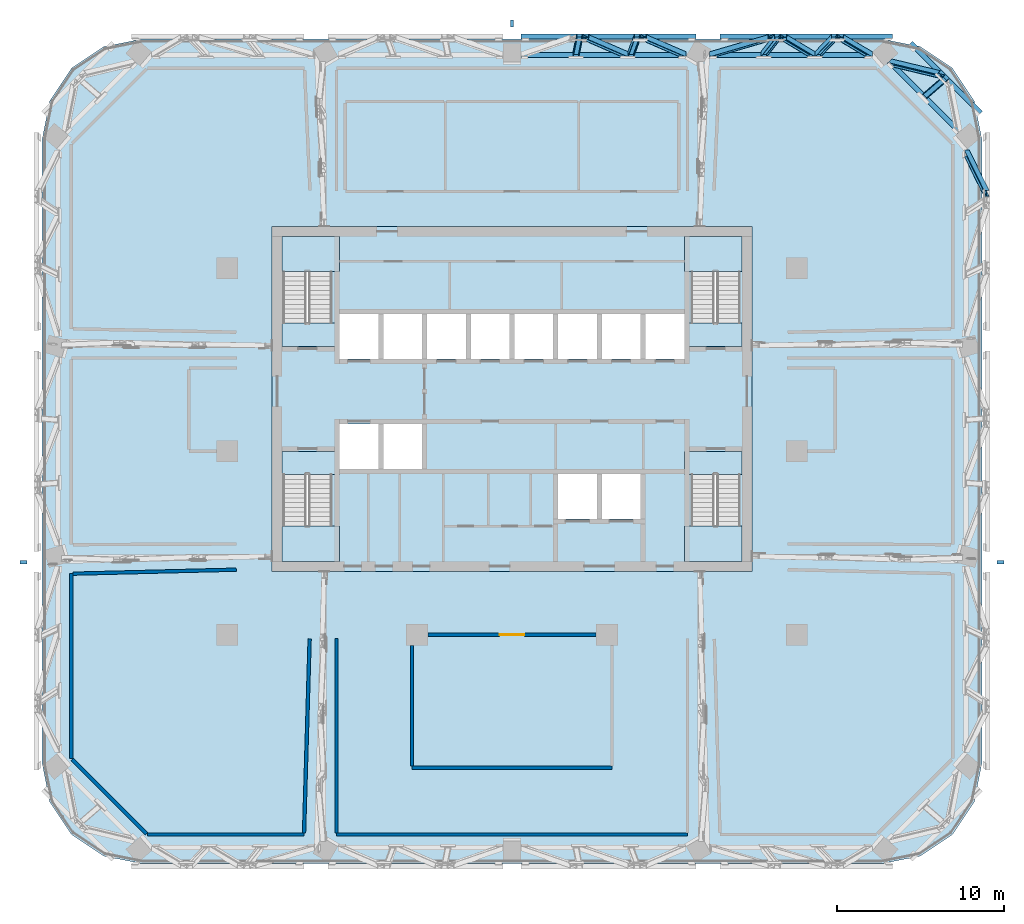
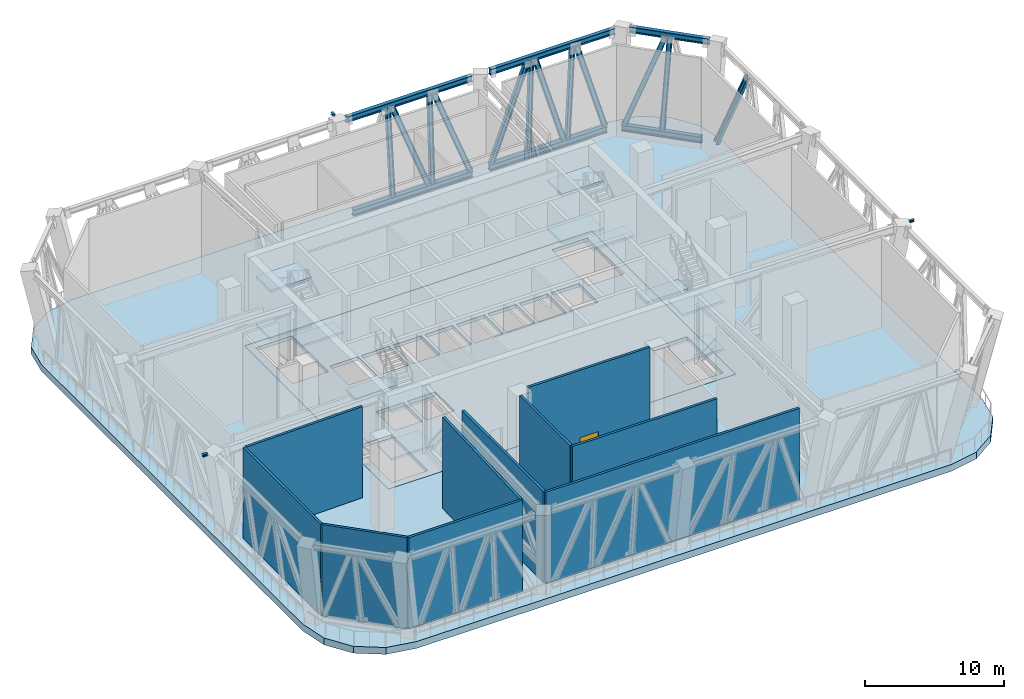
# One storey, part 5 of 24: 18 members, 14 slabs, 10 walls, 3 beams, 1 door, 1 opening, 4 elements without a shape of their own.
"""IFC4 building model written with IfcOpenShell, lengths in metres."""

from ifc_helpers import new_model, si_unit, direction, frame, frame_2d, origin, origin_2d, place, context, subcontext, project, spatial, polyline, rectangle, i_section, outline, extrude, material, layer, layer_set, material_profile, profile_set, type_object, element, fill, aggregate, save


model = new_model("IFC4")

# Units and contexts
model_context = context("Model", 3, precision=1e-05, world=origin(), true_north=direction((0.0, 1.0)))
body_context = subcontext(model_context, "Body", "Model", "MODEL_VIEW")
ifc_project = project(units=[si_unit("LENGTHUNIT", "METRE"), si_unit("AREAUNIT", "SQUARE_METRE"), si_unit("VOLUMEUNIT", "CUBIC_METRE"), si_unit("PLANEANGLEUNIT", "RADIAN"), si_unit("MASSUNIT", "GRAM", prefix="KILO")], contexts=[model_context])

# Site, building, storey
site_placement = place(None, origin())
site = spatial("IfcSite", under=ifc_project, at=site_placement, CompositionType="ELEMENT")
building_placement = place(site_placement, origin())
building = spatial("IfcBuilding", under=site, at=building_placement, Name="Mopane Tessera Tower", CompositionType="ELEMENT")
storey_placement = place(building_placement, frame((0.0, 0.0, 259.0)))
storey = spatial("IfcBuildingStorey", under=building, at=storey_placement, Name="L56", CompositionType="ELEMENT", Elevation=259.0)

# Members
ifc_material_1 = material(Name="Structural steel S460", Category="steel")
ifc_material_profile_1 = material_profile(ifc_material_1, i_section(OverallWidth=0.305908203125, OverallDepth=0.52392578125, WebThickness=0.02099609375, FlangeThickness=0.0400390625, FilletRadius=0.027099609375, at=origin_2d()))
ifc_profile_set_1 = profile_set([ifc_material_profile_1], Name="Structural steel S460")
member_type_1 = type_object("IfcMemberType", Name="Belt truss chord HE 500 M", PredefinedType="CHORD", material=ifc_profile_set_1)
member_1_placement = place(storey_placement, frame((26.84765625, 19.1865234375, 0.261962890625), z_axis=(-0.707106781187, 0.707106781187, 0.0), x_axis=(-0.707106781187, -0.707106781187, 0.0)))
element("IfcMember", 1, at=member_1_placement, inside=storey, type_object=member_type_1, Name="Belt truss bottom chord L56 E3-N0", PredefinedType="CHORD", context=body_context, shape_type="SweptSolid", body=[
    extrude(i_section(OverallWidth=0.305908203125, OverallDepth=0.52392578125, WebThickness=0.02099609375, FlangeThickness=0.0400390625, FilletRadius=0.027099609375, at=origin_2d()), origin(), (0.0, 0.0, 1.0), 5.946533203125),
])
member_2_placement = place(storey_placement, frame((28.137939453125, 20.299072265625, 7.738037109375), z_axis=(-0.707086252313, 0.707127309464, 0.0), x_axis=(-0.707127309464, -0.707086252313, 0.0)))
element("IfcMember", 2, at=member_2_placement, inside=storey, type_object=member_type_1, Name="Belt truss top chord L56 E3-N0", PredefinedType="CHORD", context=body_context, shape_type="SweptSolid", body=[
    extrude(i_section(OverallWidth=0.305908203125, OverallDepth=0.52392578125, WebThickness=0.02099609375, FlangeThickness=0.0400390625, FilletRadius=0.027099609375, at=origin_2d()), origin(), (0.0, 0.0, 1.0), 5.9462890625),
])
member_3_placement = place(storey_placement, frame((21.55419921875, 23.7890625, 0.261962890625), z_axis=(-1.0, 0.0, 0.0), x_axis=(0.0, -1.0, 0.0)))
element("IfcMember", 3, at=member_3_placement, inside=storey, type_object=member_type_1, Name="Belt truss bottom chord L56 N0-N1", PredefinedType="CHORD", context=body_context, shape_type="SweptSolid", body=[
    extrude(i_section(OverallWidth=0.305908203125, OverallDepth=0.52392578125, WebThickness=0.02099609375, FlangeThickness=0.0400390625, FilletRadius=0.027099609375, at=origin_2d()), origin(), (0.0, 0.0, 1.0), 9.70751953125),
])
member_4_placement = place(storey_placement, frame((22.844482421875, 24.9013671875, 7.738037109375), z_axis=(-1.0, 0.0, 0.0), x_axis=(0.0, -1.0, 0.0)))
element("IfcMember", 4, at=member_4_placement, inside=storey, type_object=member_type_1, Name="Belt truss top chord L56 N0-N1", PredefinedType="CHORD", context=body_context, shape_type="SweptSolid", body=[
    extrude(i_section(OverallWidth=0.305908203125, OverallDepth=0.52392578125, WebThickness=0.02099609375, FlangeThickness=0.0400390625, FilletRadius=0.027099609375, at=origin_2d()), origin(), (0.0, 0.0, 1.0), 10.352783203125),
])
member_5_placement = place(storey_placement, frame((10.398681640625, 23.7890625, 0.261962890625), z_axis=(-1.0, 0.0, 0.0), x_axis=(0.0, -1.0, 0.0)))
element("IfcMember", 5, at=member_5_placement, inside=storey, type_object=member_type_1, Name="Belt truss bottom chord L56 N1-N2", PredefinedType="CHORD", context=body_context, shape_type="SweptSolid", body=[
    extrude(i_section(OverallWidth=0.305908203125, OverallDepth=0.52392578125, WebThickness=0.02099609375, FlangeThickness=0.0400390625, FilletRadius=0.027099609375, at=origin_2d()), origin(), (0.0, 0.0, 1.0), 9.84912109375),
])
member_6_placement = place(storey_placement, frame((11.0439453125, 24.9013671875, 7.738037109375), z_axis=(-1.0, 0.0, 0.0), x_axis=(0.0, -1.0, 0.0)))
element("IfcMember", 6, at=member_6_placement, inside=storey, type_object=member_type_1, Name="Belt truss top chord L56 N1-N2", PredefinedType="CHORD", context=body_context, shape_type="SweptSolid", body=[
    extrude(i_section(OverallWidth=0.305908203125, OverallDepth=0.52392578125, WebThickness=0.02099609375, FlangeThickness=0.0400390625, FilletRadius=0.027099609375, at=origin_2d()), origin(), (0.0, 0.0, 1.0), 10.494384765625),
])
ifc_material_2 = material(Name="Structural steel S460", Category="steel")
ifc_material_profile_2 = material_profile(ifc_material_2, i_section(OverallWidth=0.300048828125, OverallDepth=0.39990234375, WebThickness=0.013427734375, FlangeThickness=0.02392578125, FilletRadius=0.027099609375, at=origin_2d()))
ifc_profile_set_2 = profile_set([ifc_material_profile_2], Name="Structural steel S460")
member_type_2 = type_object("IfcMemberType", Name="Belt truss diagonal HE 400 B", PredefinedType="BRACE", material=ifc_profile_set_2)
member_7_placement = place(storey_placement, frame((28.482177734375, 15.476318359375, 7.427978515625), z_axis=(-0.160713742004, 0.327924986779, -0.930933024539), x_axis=(-0.987001059242, -0.053440823985, 0.151568424768)))
element("IfcMember", 7, at=member_7_placement, inside=storey, type_object=member_type_2, Name="Belt truss diagonal 2 L56 E2-E3", PredefinedType="BRACE", context=body_context, shape_type="SweptSolid", body=[
    extrude(i_section(OverallWidth=0.300048828125, OverallDepth=0.39990234375, WebThickness=0.013427734375, FlangeThickness=0.02392578125, FilletRadius=0.027099609375, at=origin_2d()), origin(), (0.0, 0.0, 1.0), 7.364501953125),
])
member_8_placement = place(storey_placement, frame((25.734375, 22.609375, 7.447509765625), z_axis=(-0.387981452235, 0.093277883872, -0.916934909959), x_axis=(-0.640323134675, -0.742843451968, 0.195371157208)))
element("IfcMember", 8, at=member_8_placement, inside=storey, type_object=member_type_2, Name="Belt truss diagonal 1 L56 E3-N0", PredefinedType="BRACE", context=body_context, shape_type="SweptSolid", body=[
    extrude(i_section(OverallWidth=0.300048828125, OverallDepth=0.39990234375, WebThickness=0.013427734375, FlangeThickness=0.02392578125, FilletRadius=0.027099609375, at=origin_2d()), origin(), (0.0, 0.0, 1.0), 7.51953125),
])
member_9_placement = place(storey_placement, frame((21.43212890625, 23.833251953125, 0.5595703125), z_axis=(-0.240368104907, 0.142871858274, 0.960109788648), x_axis=(-0.034683429233, -0.989741194403, 0.138598080211)))
element("IfcMember", 9, at=member_9_placement, inside=storey, type_object=member_type_2, Name="Belt truss diagonal 0 L56 N0-N1", PredefinedType="BRACE", context=body_context, shape_type="SweptSolid", body=[
    extrude(i_section(OverallWidth=0.300048828125, OverallDepth=0.39990234375, WebThickness=0.013427734375, FlangeThickness=0.02392578125, FilletRadius=0.027099609375, at=origin_2d()), origin(), (0.0, 0.0, 1.0), 7.166748046875),
])
member_10_placement = place(storey_placement, frame((18.005126953125, 23.83251953125, 0.554931640625), z_axis=(-0.238169708619, 0.14296309507, 0.960643921203), x_axis=(-0.034446532368, -0.989728018935, 0.13875116195)))
element("IfcMember", 10, at=member_10_placement, inside=storey, type_object=member_type_2, Name="Belt truss diagonal 1 L56 N0-N1", PredefinedType="BRACE", context=body_context, shape_type="SweptSolid", body=[
    extrude(i_section(OverallWidth=0.300048828125, OverallDepth=0.39990234375, WebThickness=0.013427734375, FlangeThickness=0.02392578125, FilletRadius=0.027099609375, at=origin_2d()), origin(), (0.0, 0.0, 1.0), 7.17236328125),
])
member_11_placement = place(storey_placement, frame((15.551513671875, 24.857177734375, 7.4404296875), z_axis=(-0.450040201118, -0.131439317792, -0.883282244312), x_axis=(0.059668651394, -0.991324218272, 0.117115098546)))
element("IfcMember", 11, at=member_11_placement, inside=storey, type_object=member_type_2, Name="Belt truss diagonal 2 L56 N0-N1", PredefinedType="BRACE", context=body_context, shape_type="SweptSolid", body=[
    extrude(i_section(OverallWidth=0.300048828125, OverallDepth=0.39990234375, WebThickness=0.013427734375, FlangeThickness=0.02392578125, FilletRadius=0.027099609375, at=origin_2d()), origin(), (0.0, 0.0, 1.0), 7.7900390625),
])
member_12_placement = place(storey_placement, frame((10.251708984375, 23.83349609375, 0.560791015625), z_axis=(-0.322539725509, 0.139304196305, 0.936249147589), x_axis=(-0.045353355245, -0.990249635418, 0.131714588119)))
element("IfcMember", 12, at=member_12_placement, inside=storey, type_object=member_type_2, Name="Belt truss diagonal 0 L56 N1-N2", PredefinedType="BRACE", context=body_context, shape_type="SweptSolid", body=[
    extrude(i_section(OverallWidth=0.300048828125, OverallDepth=0.39990234375, WebThickness=0.013427734375, FlangeThickness=0.02392578125, FilletRadius=0.027099609375, at=origin_2d()), origin(), (0.0, 0.0, 1.0), 7.3466796875),
])
member_13_placement = place(storey_placement, frame((6.77783203125, 23.832763671875, 0.55615234375), z_axis=(-0.320810334951, 0.139401903129, 0.936828606733), x_axis=(-0.045148045312, -0.990235885622, 0.131888380196)))
element("IfcMember", 13, at=member_13_placement, inside=storey, type_object=member_type_2, Name="Belt truss diagonal 1 L56 N1-N2", PredefinedType="BRACE", context=body_context, shape_type="SweptSolid", body=[
    extrude(i_section(OverallWidth=0.300048828125, OverallDepth=0.39990234375, WebThickness=0.013427734375, FlangeThickness=0.02392578125, FilletRadius=0.027099609375, at=origin_2d()), origin(), (0.0, 0.0, 1.0), 7.35205078125),
])
ifc_material_3 = material(Name="Structural steel S460", Category="steel")
ifc_material_profile_3 = material_profile(ifc_material_3, i_section(OverallWidth=0.300048828125, OverallDepth=0.360107421875, WebThickness=0.012451171875, FlangeThickness=0.0224609375, FilletRadius=0.027099609375, at=origin_2d()))
ifc_profile_set_3 = profile_set([ifc_material_profile_3], Name="Structural steel S460")
member_type_3 = type_object("IfcMemberType", Name="Belt truss post HE 360 B", PredefinedType="POST", material=ifc_profile_set_3)
member_14_placement = place(storey_placement, frame((24.790283203125, 21.327880859375, 0.52392578125), z_axis=(0.168319620267, 0.14510548224, 0.974993797138), x_axis=(-0.686891024749, -0.692153827659, 0.221593770167)))
element("IfcMember", 14, at=member_14_placement, inside=storey, type_object=member_type_3, Name="Belt truss post 1 L56 E3-N0", PredefinedType="POST", context=body_context, shape_type="SweptSolid", body=[
    extrude(i_section(OverallWidth=0.300048828125, OverallDepth=0.360107421875, WebThickness=0.012451171875, FlangeThickness=0.0224609375, FilletRadius=0.027099609375, at=origin_2d()), origin(), (0.0, 0.0, 1.0), 7.13037109375),
])
member_15_placement = place(storey_placement, frame((18.35546875, 23.827880859375, 0.52392578125), z_axis=(0.139236524581, 0.145771835764, 0.979471164517), x_axis=(0.020509231245, -0.989318235884, 0.144321861062)))
element("IfcMember", 15, at=member_15_placement, inside=storey, type_object=member_type_3, Name="Belt truss post 1 L56 N0-N1", PredefinedType="POST", context=body_context, shape_type="SweptSolid", body=[
    extrude(i_section(OverallWidth=0.300048828125, OverallDepth=0.360107421875, WebThickness=0.012451171875, FlangeThickness=0.0224609375, FilletRadius=0.027099609375, at=origin_2d()), origin(), (0.0, 0.0, 1.0), 7.097900390625),
])
member_16_placement = place(storey_placement, frame((15.113037109375, 23.827880859375, 0.52392578125), z_axis=(0.115002703841, 0.14622906057, 0.98254335271), x_axis=(0.016961755539, -0.989250757106, 0.145241999487)))
element("IfcMember", 16, at=member_16_placement, inside=storey, type_object=member_type_3, Name="Belt truss post 2 L56 N0-N1", PredefinedType="POST", context=body_context, shape_type="SweptSolid", body=[
    extrude(i_section(OverallWidth=0.300048828125, OverallDepth=0.360107421875, WebThickness=0.012451171875, FlangeThickness=0.0224609375, FilletRadius=0.027099609375, at=origin_2d()), origin(), (0.0, 0.0, 1.0), 7.07568359375),
])
member_17_placement = place(storey_placement, frame((7.130126953125, 23.827880859375, 0.52392578125), z_axis=(0.054521762792, 0.146986787986, 0.987634680203), x_axis=(0.00814252161, -0.989138454689, 0.146761087477)))
element("IfcMember", 17, at=member_17_placement, inside=storey, type_object=member_type_3, Name="Belt truss post 1 L56 N1-N2", PredefinedType="POST", context=body_context, shape_type="SweptSolid", body=[
    extrude(i_section(OverallWidth=0.300048828125, OverallDepth=0.360107421875, WebThickness=0.012451171875, FlangeThickness=0.0224609375, FilletRadius=0.027099609375, at=origin_2d()), origin(), (0.0, 0.0, 1.0), 7.039306640625),
])
member_18_placement = place(storey_placement, frame((3.84033203125, 23.827880859375, 0.52392578125), z_axis=(0.029407583865, 0.147142078416, 0.988678108775), x_axis=(0.004329345509, -0.989115365741, 0.147078380544)))
element("IfcMember", 18, at=member_18_placement, inside=storey, type_object=member_type_3, Name="Belt truss post 2 L56 N1-N2", PredefinedType="POST", context=body_context, shape_type="SweptSolid", body=[
    extrude(i_section(OverallWidth=0.300048828125, OverallDepth=0.360107421875, WebThickness=0.012451171875, FlangeThickness=0.0224609375, FilletRadius=0.027099609375, at=origin_2d()), origin(), (0.0, 0.0, 1.0), 7.03173828125),
])

# Beams
ifc_material_4 = material(Name="Structural steel S460", Category="steel")
ifc_material_profile_4 = material_profile(ifc_material_4, i_section(OverallWidth=0.199951171875, OverallDepth=0.199951171875, WebThickness=0.009033203125, FlangeThickness=0.014892578125, FilletRadius=0.01806640625, at=origin_2d()))
ifc_profile_set_4 = profile_set([ifc_material_profile_4], Name="Structural steel S460")
beam_type = type_object("IfcBeamType", Name="Terrace trimmer beam HE 200 B", PredefinedType="BEAM", material=ifc_profile_set_4)
for number, where, z_axis, x_axis, name in (
    (19, (29.115966796875, -6.64697265625, 7.89990234375), (1.0, 0.0, 0.0), (0.0, 1.0, 0.0), "Terrace trimmer beam N1 L57"),
    (20, (0.0, 25.4755859375, 7.89990234375), (0.0, 1.0, 0.0), (-1.0, 0.0, 0.0), "Terrace trimmer beam N2 L57"),
    (21, (-29.115966796875, -6.64697265625, 7.89990234375), (-1.0, 0.0, 0.0), (0.0, -1.0, 0.0), "Terrace trimmer beam N3 L57"),
):
    element("IfcBeam", number, at=place(storey_placement, frame(where, z_axis=z_axis, x_axis=x_axis)), inside=storey, type_object=beam_type, Name=name, PredefinedType="BEAM", context=body_context, shape_type="SweptSolid", body=[
        extrude(i_section(OverallWidth=0.199951171875, OverallDepth=0.199951171875, WebThickness=0.009033203125, FlangeThickness=0.014892578125, FilletRadius=0.01806640625, at=origin_2d()), origin(), (0.0, 0.0, 1.0), 0.414794921875),
    ])

# Slab
ifc_material_5 = material(Name="Concrete C40/50", Category="concrete")
ifc_layer_1 = layer(ifc_material_5, 0.300048828125)
ifc_layer_set_1 = layer_set([ifc_layer_1], Name="Concrete C40/50")
slab_type_1 = type_object("IfcSlabType", Name="Core floor slab 300 mm", PredefinedType="FLOOR", material=ifc_layer_set_1)
slab_1_placement = place(storey_placement, frame((0.0, 0.0, -0.300048828125)))
element("IfcSlab", 22, at=slab_1_placement, inside=storey, type_object=slab_type_1, Name="L56 core floor slab", PredefinedType="FLOOR", context=body_context, shape_type="SweptSolid", body=[
    extrude(outline(polyline([(-14.39990234375, -7.199951171875), (14.39990234375, -7.199951171875), (14.39990234375, 13.5), (-14.39990234375, 13.5), (-14.39990234375, -7.199951171875)]), holes=[polyline([(-10.35009765625, -1.050048828125), (-8.02490234375, -1.050048828125), (-8.02490234375, 1.64990234375), (-10.35009765625, 1.64990234375), (-10.35009765625, -1.050048828125)]), polyline([(-7.72509765625, -1.050048828125), (-5.39990234375, -1.050048828125), (-5.39990234375, 1.64990234375), (-7.72509765625, 1.64990234375), (-7.72509765625, -1.050048828125)]), polyline([(-10.35009765625, 5.550048828125), (-8.02490234375, 5.550048828125), (-8.02490234375, 8.25), (-10.35009765625, 8.25), (-10.35009765625, 5.550048828125)]), polyline([(-7.72509765625, 5.550048828125), (-5.39990234375, 5.550048828125), (-5.39990234375, 8.25), (-7.72509765625, 8.25), (-7.72509765625, 5.550048828125)]), polyline([(-5.10009765625, 5.550048828125), (-2.77490234375, 5.550048828125), (-2.77490234375, 8.25), (-5.10009765625, 8.25), (-5.10009765625, 5.550048828125)]), polyline([(-2.47509765625, 5.550048828125), (-0.14990234375, 5.550048828125), (-0.14990234375, 8.25), (-2.47509765625, 8.25), (-2.47509765625, 5.550048828125)]), polyline([(0.14990234375, 5.550048828125), (2.47509765625, 5.550048828125), (2.47509765625, 8.25), (0.14990234375, 8.25), (0.14990234375, 5.550048828125)]), polyline([(2.77490234375, 5.550048828125), (5.10009765625, 5.550048828125), (5.10009765625, 8.25), (2.77490234375, 8.25), (2.77490234375, 5.550048828125)]), polyline([(5.39990234375, 5.550048828125), (7.72509765625, 5.550048828125), (7.72509765625, 8.25), (5.39990234375, 8.25), (5.39990234375, 5.550048828125)]), polyline([(8.02490234375, 5.550048828125), (10.35009765625, 5.550048828125), (10.35009765625, 8.25), (8.02490234375, 8.25), (8.02490234375, 5.550048828125)]), polyline([(2.77490234375, -4.050048828125), (5.10009765625, -4.050048828125), (5.10009765625, -1.35009765625), (2.77490234375, -1.35009765625), (2.77490234375, -4.050048828125)]), polyline([(5.39990234375, -4.050048828125), (7.72509765625, -4.050048828125), (7.72509765625, -1.35009765625), (5.39990234375, -1.35009765625), (5.39990234375, -4.050048828125)]), polyline([(-13.75, -1.405029296875), (-13.75, -6.60009765625), (-10.800048828125, -6.60009765625), (-10.800048828125, -1.405029296875), (-13.75, -1.405029296875)]), polyline([(-10.800048828125, 7.705078125), (-10.800048828125, 12.89990234375), (-13.75, 12.89990234375), (-13.75, 7.705078125), (-10.800048828125, 7.705078125)]), polyline([(10.75, -1.405029296875), (10.75, -6.60009765625), (13.699951171875, -6.60009765625), (13.699951171875, -1.405029296875), (10.75, -1.405029296875)]), polyline([(13.699951171875, 7.705078125), (13.699951171875, 12.89990234375), (10.75, 12.89990234375), (10.75, 7.705078125), (13.699951171875, 7.705078125)])]), origin(), (0.0, 0.0, 1.0), 0.300048828125),
])

# Stair, slabs
ifc_material_6 = material(Name="Concrete C50/60", Category="concrete")
stair_type = type_object("IfcStairType", Name="Escape stair 1400 mm, riser 175 mm", PredefinedType="HALF_TURN_STAIR", material=ifc_material_6)
stair_1_placement = place(storey_placement, origin())
stair_1 = element("IfcStair", 23, at=stair_1_placement, inside=storey, type_object=stair_type, Name="L56 Escape stair south-west", PredefinedType="HALF_TURN_STAIR")
ifc_material_7 = material(Name="Concrete C50/60", Category="concrete")
ifc_layer_2 = layer(ifc_material_7, 0.199951171875)
ifc_layer_set_2 = layer_set([ifc_layer_2], Name="Concrete C50/60")
slab_type_2 = type_object("IfcSlabType", Name="Escape stair landing 200 mm", PredefinedType="LANDING", material=ifc_layer_set_2)
slab_2_placement = place(storey_placement, frame((0.0, 0.0, 1.89990234375)))
slab_2 = element("IfcSlab", 24, at=slab_2_placement, type_object=slab_type_2, Name="ST1 landing 1", PredefinedType="LANDING", context=body_context, shape_type="SweptSolid", body=[
    extrude(outline(polyline([(-13.800048828125, -4.47998046875), (-13.800048828125, -6.60009765625), (-10.35009765625, -6.60009765625), (-10.35009765625, -4.47998046875), (-13.800048828125, -4.47998046875)])), origin(), (0.0, 0.0, 1.0), 0.2001953125),
])
slab_3_placement = place(storey_placement, frame((0.0, 0.0, 4.0)))
slab_3 = element("IfcSlab", 25, at=slab_3_placement, type_object=slab_type_2, Name="ST1 landing 2", PredefinedType="LANDING", context=body_context, shape_type="SweptSolid", body=[
    extrude(outline(polyline([(-13.800048828125, 0.0), (-13.800048828125, -1.39990234375), (-10.35009765625, -1.39990234375), (-10.35009765625, 0.0), (-13.800048828125, 0.0)])), origin(), (0.0, 0.0, 1.0), 0.199951171875),
])
slab_4_placement = place(storey_placement, frame((0.0, 0.0, 6.10009765625)))
slab_4 = element("IfcSlab", 26, at=slab_4_placement, type_object=slab_type_2, Name="ST1 landing 3", PredefinedType="LANDING", context=body_context, shape_type="SweptSolid", body=[
    extrude(outline(polyline([(-13.800048828125, -4.47998046875), (-13.800048828125, -6.60009765625), (-10.35009765625, -6.60009765625), (-10.35009765625, -4.47998046875), (-13.800048828125, -4.47998046875)])), origin(), (0.0, 0.0, 1.0), 0.199951171875),
])
aggregate(stair_1, [slab_2, slab_3, slab_4])

stair_2_placement = place(storey_placement, origin())
stair_2 = element("IfcStair", 27, at=stair_2_placement, inside=storey, type_object=stair_type, Name="L56 Escape stair north-west", PredefinedType="HALF_TURN_STAIR")
slab_5_placement = place(storey_placement, frame((0.0, 0.0, 1.89990234375)))
slab_5 = element("IfcSlab", 28, at=slab_5_placement, type_object=slab_type_2, Name="ST2 landing 1", PredefinedType="LANDING", context=body_context, shape_type="SweptSolid", body=[
    extrude(outline(polyline([(-10.35009765625, 10.780029296875), (-10.35009765625, 12.89990234375), (-13.800048828125, 12.89990234375), (-13.800048828125, 10.780029296875), (-10.35009765625, 10.780029296875)])), origin(), (0.0, 0.0, 1.0), 0.2001953125),
])
slab_6_placement = place(storey_placement, frame((0.0, 0.0, 4.0)))
slab_6 = element("IfcSlab", 29, at=slab_6_placement, type_object=slab_type_2, Name="ST2 landing 2", PredefinedType="LANDING", context=body_context, shape_type="SweptSolid", body=[
    extrude(outline(polyline([(-10.35009765625, 6.300048828125), (-10.35009765625, 7.699951171875), (-13.800048828125, 7.699951171875), (-13.800048828125, 6.300048828125), (-10.35009765625, 6.300048828125)])), origin(), (0.0, 0.0, 1.0), 0.199951171875),
])
slab_7_placement = place(storey_placement, frame((0.0, 0.0, 6.10009765625)))
slab_7 = element("IfcSlab", 30, at=slab_7_placement, type_object=slab_type_2, Name="ST2 landing 3", PredefinedType="LANDING", context=body_context, shape_type="SweptSolid", body=[
    extrude(outline(polyline([(-10.35009765625, 10.780029296875), (-10.35009765625, 12.89990234375), (-13.800048828125, 12.89990234375), (-13.800048828125, 10.780029296875), (-10.35009765625, 10.780029296875)])), origin(), (0.0, 0.0, 1.0), 0.199951171875),
])
aggregate(stair_2, [slab_5, slab_6, slab_7])

stair_3_placement = place(storey_placement, origin())
stair_3 = element("IfcStair", 31, at=stair_3_placement, inside=storey, type_object=stair_type, Name="L56 Escape stair south-east", PredefinedType="HALF_TURN_STAIR")
slab_8_placement = place(storey_placement, frame((0.0, 0.0, 1.89990234375)))
slab_8 = element("IfcSlab", 32, at=slab_8_placement, type_object=slab_type_2, Name="ST3 landing 1", PredefinedType="LANDING", context=body_context, shape_type="SweptSolid", body=[
    extrude(outline(polyline([(10.35009765625, -4.47998046875), (10.35009765625, -6.60009765625), (13.800048828125, -6.60009765625), (13.800048828125, -4.47998046875), (10.35009765625, -4.47998046875)])), origin(), (0.0, 0.0, 1.0), 0.2001953125),
])
slab_9_placement = place(storey_placement, frame((0.0, 0.0, 4.0)))
slab_9 = element("IfcSlab", 33, at=slab_9_placement, type_object=slab_type_2, Name="ST3 landing 2", PredefinedType="LANDING", context=body_context, shape_type="SweptSolid", body=[
    extrude(outline(polyline([(10.35009765625, 0.0), (10.35009765625, -1.39990234375), (13.800048828125, -1.39990234375), (13.800048828125, 0.0), (10.35009765625, 0.0)])), origin(), (0.0, 0.0, 1.0), 0.199951171875),
])
slab_10_placement = place(storey_placement, frame((0.0, 0.0, 6.10009765625)))
slab_10 = element("IfcSlab", 34, at=slab_10_placement, type_object=slab_type_2, Name="ST3 landing 3", PredefinedType="LANDING", context=body_context, shape_type="SweptSolid", body=[
    extrude(outline(polyline([(10.35009765625, -4.47998046875), (10.35009765625, -6.60009765625), (13.800048828125, -6.60009765625), (13.800048828125, -4.47998046875), (10.35009765625, -4.47998046875)])), origin(), (0.0, 0.0, 1.0), 0.199951171875),
])
aggregate(stair_3, [slab_8, slab_9, slab_10])

stair_4_placement = place(storey_placement, origin())
stair_4 = element("IfcStair", 35, at=stair_4_placement, inside=storey, type_object=stair_type, Name="L56 Escape stair north-east", PredefinedType="HALF_TURN_STAIR")
slab_11_placement = place(storey_placement, frame((0.0, 0.0, 1.89990234375)))
slab_11 = element("IfcSlab", 36, at=slab_11_placement, type_object=slab_type_2, Name="ST4 landing 1", PredefinedType="LANDING", context=body_context, shape_type="SweptSolid", body=[
    extrude(outline(polyline([(13.800048828125, 10.780029296875), (13.800048828125, 12.89990234375), (10.35009765625, 12.89990234375), (10.35009765625, 10.780029296875), (13.800048828125, 10.780029296875)])), origin(), (0.0, 0.0, 1.0), 0.2001953125),
])
slab_12_placement = place(storey_placement, frame((0.0, 0.0, 4.0)))
slab_12 = element("IfcSlab", 37, at=slab_12_placement, type_object=slab_type_2, Name="ST4 landing 2", PredefinedType="LANDING", context=body_context, shape_type="SweptSolid", body=[
    extrude(outline(polyline([(13.800048828125, 6.300048828125), (13.800048828125, 7.699951171875), (10.35009765625, 7.699951171875), (10.35009765625, 6.300048828125), (13.800048828125, 6.300048828125)])), origin(), (0.0, 0.0, 1.0), 0.199951171875),
])
slab_13_placement = place(storey_placement, frame((0.0, 0.0, 6.10009765625)))
slab_13 = element("IfcSlab", 38, at=slab_13_placement, type_object=slab_type_2, Name="ST4 landing 3", PredefinedType="LANDING", context=body_context, shape_type="SweptSolid", body=[
    extrude(outline(polyline([(13.800048828125, 10.780029296875), (13.800048828125, 12.89990234375), (10.35009765625, 12.89990234375), (10.35009765625, 10.780029296875), (13.800048828125, 10.780029296875)])), origin(), (0.0, 0.0, 1.0), 0.199951171875),
])
aggregate(stair_4, [slab_11, slab_12, slab_13])

# Slab
ifc_material_8 = material(Name="Concrete C40/50", Category="concrete")
ifc_layer_3 = layer(ifc_material_8, 0.60009765625)
ifc_layer_set_3 = layer_set([ifc_layer_3], Name="Concrete C40/50")
slab_type_3 = type_object("IfcSlabType", Name="Post-tensioned flat plate 600 mm", PredefinedType="FLOOR", material=ifc_layer_set_3)
slab_14_placement = place(storey_placement, frame((0.0, 0.0, -0.60009765625)))
element("IfcSlab", 39, at=slab_14_placement, inside=storey, type_object=slab_type_3, Name="Floor slab L56", PredefinedType="FLOOR", context=body_context, shape_type="SweptSolid", body=[
    extrude(outline(polyline([(-22.199951171875, -24.75), (22.199951171875, -24.75), (24.49609375, -24.293212890625), (26.442626953125, -22.99267578125), (27.7431640625, -21.046142578125), (28.199951171875, -18.75), (28.199951171875, 18.75), (27.7431640625, 21.046142578125), (26.442626953125, 22.99267578125), (24.49609375, 24.293212890625), (22.199951171875, 24.75), (-22.199951171875, 24.75), (-24.49609375, 24.293212890625), (-26.442626953125, 22.99267578125), (-27.7431640625, 21.046142578125), (-28.199951171875, 18.75), (-28.199951171875, -18.75), (-27.7431640625, -21.046142578125), (-26.442626953125, -22.99267578125), (-24.49609375, -24.293212890625), (-22.199951171875, -24.75)]), holes=[polyline([(14.39990234375, -7.199951171875), (-14.39990234375, -7.199951171875), (-14.39990234375, 13.5), (14.39990234375, 13.5), (14.39990234375, -7.199951171875)])]), origin(), (0.0, 0.0, 1.0), 0.60009765625),
])

# Walls
ifc_material_9 = material(Name="Gypsum board on steel studs, two layers each face, mineral wool infill", Category="steel")
ifc_layer_4 = layer(ifc_material_9, 0.199951171875)
ifc_layer_set_4 = layer_set([ifc_layer_4], Name="Gypsum board on steel studs, two layers each face, mineral wool infill")
wall_type = type_object("IfcWallType", Name="Gypsum board corridor wall 200, rated EI 60", PredefinedType="PARTITIONING", material=ifc_layer_set_4)
wall_1_placement = place(storey_placement, frame((-21.889892578125, -23.0, 0.0), z_axis=(0.0, 0.0, 1.0), x_axis=(1.0, 0.0, 0.0)))
element("IfcWall", 40, at=wall_1_placement, inside=storey, type_object=wall_type, Name="Partition L56:000", PredefinedType="PARTITIONING", context=body_context, shape_type="SweptSolid", body=[
    extrude(rectangle(XDim=9.40478515625, YDim=0.199951171875, at=frame_2d((4.702392578125, 0.0))), origin(), (0.0, 0.0, 1.0), 8.0),
])
wall_2_placement = place(storey_placement, frame((-10.530029296875, -23.0, 0.0), z_axis=(0.0, 0.0, 1.0), x_axis=(1.0, 0.0, 0.0)))
element("IfcWall", 41, at=wall_2_placement, inside=storey, type_object=wall_type, Name="Partition L56:001", PredefinedType="PARTITIONING", context=body_context, shape_type="SweptSolid", body=[
    extrude(rectangle(XDim=21.06005859375, YDim=0.199951171875, at=frame_2d((10.530029296875, 0.0))), origin(), (0.0, 0.0, 1.0), 8.0),
])
wall_3_placement = place(storey_placement, frame((-6.0, -19.0, 0.0), z_axis=(0.0, 0.0, 1.0), x_axis=(1.0, 0.0, 0.0)))
element("IfcWall", 42, at=wall_3_placement, inside=storey, type_object=wall_type, Name="Partition L56:003", PredefinedType="PARTITIONING", context=body_context, shape_type="SweptSolid", body=[
    extrude(rectangle(XDim=12.0, YDim=0.199951171875, at=frame_2d((6.0, 0.0))), origin(), (0.0, 0.0, 1.0), 8.0),
])

# Wall, opening, door
wall_4_placement = place(storey_placement, frame((-5.050048828125, -11.0, 0.0), z_axis=(0.0, 0.0, 1.0), x_axis=(1.0, 0.0, 0.0)))
wall_4 = element("IfcWall", 43, at=wall_4_placement, inside=storey, type_object=wall_type, Name="Partition L56:004", PredefinedType="PARTITIONING", context=body_context, shape_type="SweptSolid", body=[
    extrude(rectangle(XDim=10.10009765625, YDim=0.199951171875, at=frame_2d((5.050048828125, 0.0))), origin(), (0.0, 0.0, 1.0), 8.0),
])
opening_placement = place(wall_4_placement, frame((4.300048828125, 0.0, 0.0)))
opening = element("IfcOpeningElement", 44, at=opening_placement, cuts=wall_4, Name="Opening L56-02", PredefinedType="OPENING", context=body_context, shape_type="SweptSolid", body=[
    extrude(rectangle(XDim=1.5, YDim=2.10009765625, at=frame_2d((0.75, 1.050048828125))), frame((0.0, 0.112060546875, 0.0), z_axis=(0.0, -1.0, 0.0), x_axis=(1.0, 0.0, 0.0)), (0.0, 0.0, 1.0), 0.223876953125),
])
ifc_material_10 = material(Name="Timber veneered steel-framed fire door", Category="steel")
door_type = type_object("IfcDoorType", Name="Fire door pair FD60 1500 x 2100", OperationType="DOUBLE_DOOR_SINGLE_SWING", PredefinedType="DOOR", material=ifc_material_10)
door_placement = place(opening_placement, origin())
door = element("IfcDoor", 45, at=door_placement, inside=storey, type_object=door_type, Name="Door L56-02", ObjectType="D17A", OperationType="DOUBLE_DOOR_SINGLE_SWING", OverallHeight=2.10009765625, OverallWidth=1.5, PredefinedType="DOOR", context=body_context, shape_type="SweptSolid", body=[
    extrude(rectangle(XDim=1.5, YDim=2.10009765625, at=frame_2d((0.75, 1.050048828125))), frame((0.0, 0.02490234375, 0.0), z_axis=(0.0, -1.0, 0.0), x_axis=(1.0, 0.0, 0.0)), (0.0, 0.0, 1.0), 0.050048828125),
])
fill(opening, door)

# Walls
wall_5_placement = place(storey_placement, frame((-26.449951171875, -18.43994140625, 0.0), z_axis=(0.0, 0.0, 1.0), x_axis=(0.0, 1.0, 0.0)))
element("IfcWall", 46, at=wall_5_placement, inside=storey, type_object=wall_type, Name="Partition L56:018", PredefinedType="PARTITIONING", context=body_context, shape_type="SweptSolid", body=[
    extrude(rectangle(XDim=11.094970703125, YDim=0.199951171875, at=frame_2d((5.54736328125, 0.0))), origin(), (0.0, 0.0, 1.0), 8.0),
])
wall_6_placement = place(storey_placement, frame((-10.530029296875, -22.89990234375, 0.0), z_axis=(0.0, 0.0, 1.0), x_axis=(0.0, 1.0, 0.0)))
element("IfcWall", 47, at=wall_6_placement, inside=storey, type_object=wall_type, Name="Partition L56:022", PredefinedType="PARTITIONING", context=body_context, shape_type="SweptSolid", body=[
    extrude(rectangle(XDim=11.679931640625, YDim=0.199951171875, at=frame_2d((5.83984375, 0.0))), origin(), (0.0, 0.0, 1.0), 8.0),
])
wall_7_placement = place(storey_placement, frame((-6.0, -18.89990234375, 0.0), z_axis=(0.0, 0.0, 1.0), x_axis=(0.0, 1.0, 0.0)))
element("IfcWall", 48, at=wall_7_placement, inside=storey, type_object=wall_type, Name="Partition L56:025", PredefinedType="PARTITIONING", context=body_context, shape_type="SweptSolid", body=[
    extrude(rectangle(XDim=7.25, YDim=0.199951171875, at=frame_2d((3.625, 0.0))), origin(), (0.0, 0.0, 1.0), 8.0),
])
wall_8_placement = place(storey_placement, frame((-12.14599609375, -11.25, 0.0), z_axis=(0.0, 0.0, 1.0), x_axis=(-0.02882409722, -0.999584499389, 0.0)))
element("IfcWall", 49, at=wall_8_placement, inside=storey, type_object=wall_type, Name="Partition L56:040", PredefinedType="PARTITIONING", context=body_context, shape_type="SweptSolid", body=[
    extrude(rectangle(XDim=11.65478515625, YDim=0.199951171875, at=frame_2d((5.827392578125, 0.0))), origin(), (0.0, 0.0, 1.0), 8.0),
])
wall_9_placement = place(storey_placement, frame((-21.93896484375, -22.950927734375, 0.0), z_axis=(0.0, 0.0, 1.0), x_axis=(-0.707106781187, 0.707106781187, 0.0)))
element("IfcWall", 50, at=wall_9_placement, inside=storey, type_object=wall_type, Name="Partition L56:041", PredefinedType="PARTITIONING", context=body_context, shape_type="SweptSolid", body=[
    extrude(rectangle(XDim=6.31005859375, YDim=0.199951171875, at=frame_2d((3.155029296875, 0.0))), origin(), (0.0, 0.0, 1.0), 8.0),
])
wall_10_placement = place(storey_placement, frame((-26.35009765625, -7.343017578125, 0.0), z_axis=(0.0, 0.0, 1.0), x_axis=(0.999695391184, 0.024680454714, 0.0)))
element("IfcWall", 51, at=wall_10_placement, inside=storey, type_object=wall_type, Name="Partition L56:042", PredefinedType="PARTITIONING", context=body_context, shape_type="SweptSolid", body=[
    extrude(rectangle(XDim=9.802978515625, YDim=0.199951171875, at=frame_2d((4.9013671875, 0.0))), origin(), (0.0, 0.0, 1.0), 8.0),
])

save(model, "model.ifc")
